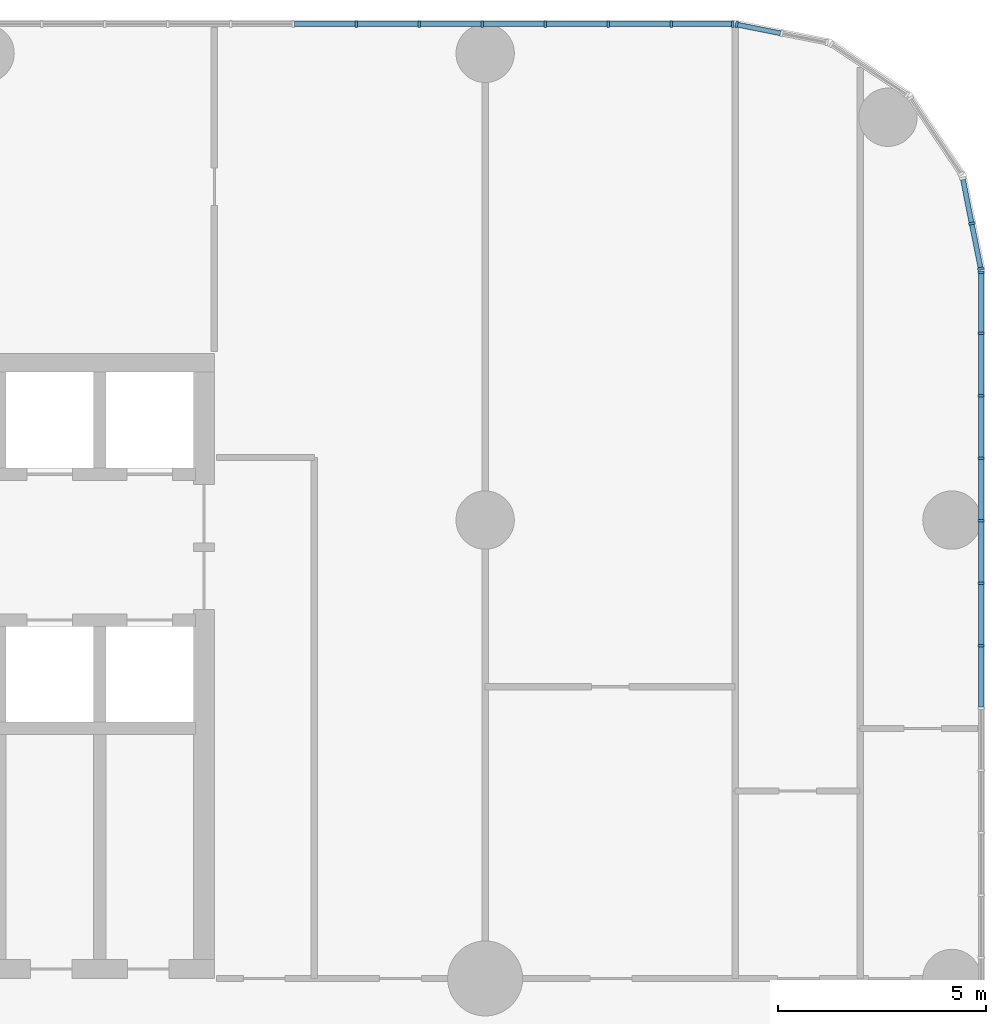
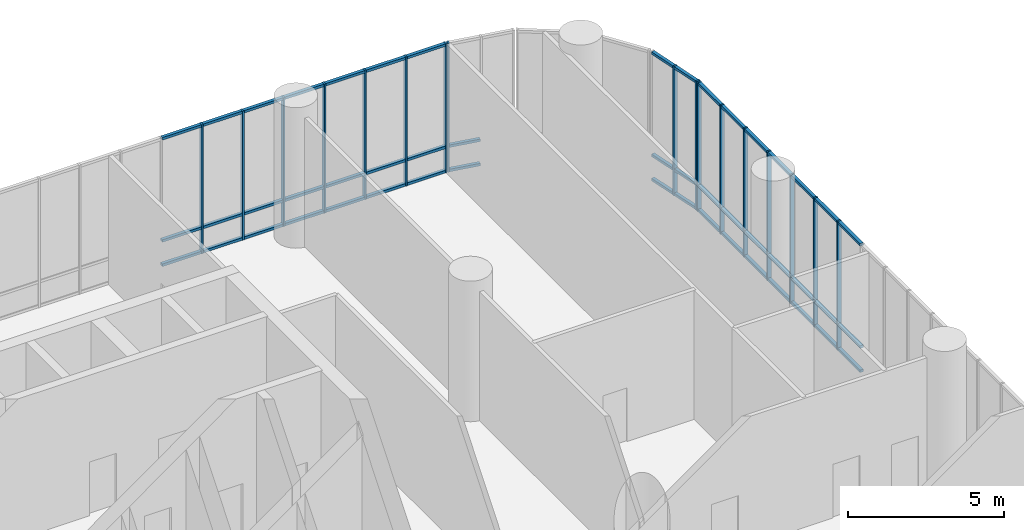
# One storey, part 14 of 28: 67 members, 4 elements without a shape of their own.
"""IFC4 building model written with IfcOpenShell, lengths in metres."""

from ifc_helpers import new_model, si_unit, direction, frame, origin, origin_2d, place, context, subcontext, project, spatial, rectangle, extrude, material, layer, layer_set, material_profile, profile_set, type_object, element, aggregate, save


model = new_model("IFC4")

# Units and contexts
model_context = context("Model", 3, precision=1e-05, world=origin(), true_north=direction((0.0, 1.0)))
body_context = subcontext(model_context, "Body", "Model", "MODEL_VIEW")
ifc_project = project(units=[si_unit("LENGTHUNIT", "METRE"), si_unit("AREAUNIT", "SQUARE_METRE"), si_unit("VOLUMEUNIT", "CUBIC_METRE"), si_unit("PLANEANGLEUNIT", "RADIAN"), si_unit("MASSUNIT", "GRAM", prefix="KILO")], contexts=[model_context])

# Site, building, storey
site_placement = place(None, origin())
site = spatial("IfcSite", under=ifc_project, at=site_placement, CompositionType="ELEMENT")
building_placement = place(site_placement, origin())
building = spatial("IfcBuilding", under=site, at=building_placement, Name="Torana Hotel and Residences", CompositionType="ELEMENT")
storey_placement = place(building_placement, frame((0.0, 0.0, 7.0)))
storey = spatial("IfcBuildingStorey", under=building, at=storey_placement, Name="L01", CompositionType="ELEMENT", Elevation=7.0)

# Curtain wall, members
ifc_material_1 = material(Name="Dark anodised aluminium", Category="aluminium")
ifc_layer = layer(ifc_material_1, 0.14990234375)
ifc_layer_set = layer_set([ifc_layer], Name="CW5 PODIUM UPPER UNITISED CURTAIN WALL")
curtain_wall_type = type_object("IfcCurtainWallType", Name="CW5 PODIUM UPPER UNITISED CURTAIN WALL", PredefinedType="NOTDEFINED", material=ifc_layer_set)
curtain_wall_1_placement = place(storey_placement, origin())
curtain_wall_1 = element("IfcCurtainWall", 1, at=curtain_wall_1_placement, inside=storey, type_object=curtain_wall_type, Name="Curtain wall CW5 L01 e1.5", PredefinedType="NOTDEFINED")
ifc_material_2 = material(Name="Dark anodised aluminium", Category="aluminium")
ifc_material_profile_1 = material_profile(ifc_material_2, rectangle(XDim=0.14990234375, YDim=0.06005859375, at=origin_2d()), Name="CW5 MULLION 60x150")
ifc_profile_set_1 = profile_set([ifc_material_profile_1], Name="Dark anodised aluminium")
member_type_1 = type_object("IfcMemberType", Name="CW5 MULLION 60x150", PredefinedType="MULLION", material=ifc_profile_set_1)
member_1_placement = place(storey_placement, frame((47.89990234375, -7.01220703125, 0.0), z_axis=(0.0, 0.0, 1.0), x_axis=(-1.0, 0.0, 0.0)))
member_1 = element("IfcMember", 2, at=member_1_placement, type_object=member_type_1, Name="CW5 mullion 19", PredefinedType="MULLION", context=body_context, shape_type="SweptSolid", body=[
    extrude(rectangle(XDim=0.14990234375, YDim=0.06005859375, at=origin_2d()), origin(), (0.0, 0.0, 1.0), 5.050048828125),
])
member_2_placement = place(storey_placement, frame((47.89990234375, -5.514404296875, 0.0), z_axis=(0.0, 0.0, 1.0), x_axis=(-1.0, 0.0, 0.0)))
member_2 = element("IfcMember", 3, at=member_2_placement, type_object=member_type_1, Name="CW5 mullion 20", PredefinedType="MULLION", context=body_context, shape_type="SweptSolid", body=[
    extrude(rectangle(XDim=0.14990234375, YDim=0.06005859375, at=origin_2d()), origin(), (0.0, 0.0, 1.0), 5.050048828125),
])
member_3_placement = place(storey_placement, frame((47.89990234375, -4.016357421875, 0.0), z_axis=(0.0, 0.0, 1.0), x_axis=(-1.0, 0.0, 0.0)))
member_3 = element("IfcMember", 4, at=member_3_placement, type_object=member_type_1, Name="CW5 mullion 21", PredefinedType="MULLION", context=body_context, shape_type="SweptSolid", body=[
    extrude(rectangle(XDim=0.14990234375, YDim=0.06005859375, at=origin_2d()), origin(), (0.0, 0.0, 1.0), 5.050048828125),
])
member_4_placement = place(storey_placement, frame((47.89990234375, -2.5185546875, 0.0), z_axis=(0.0, 0.0, 1.0), x_axis=(-1.0, 0.0, 0.0)))
member_4 = element("IfcMember", 5, at=member_4_placement, type_object=member_type_1, Name="CW5 mullion 22", PredefinedType="MULLION", context=body_context, shape_type="SweptSolid", body=[
    extrude(rectangle(XDim=0.14990234375, YDim=0.06005859375, at=origin_2d()), origin(), (0.0, 0.0, 1.0), 5.050048828125),
])
member_5_placement = place(storey_placement, frame((47.89990234375, -1.0205078125, 0.0), z_axis=(0.0, 0.0, 1.0), x_axis=(-1.0, 0.0, 0.0)))
member_5 = element("IfcMember", 6, at=member_5_placement, type_object=member_type_1, Name="CW5 mullion 23", PredefinedType="MULLION", context=body_context, shape_type="SweptSolid", body=[
    extrude(rectangle(XDim=0.14990234375, YDim=0.06005859375, at=origin_2d()), origin(), (0.0, 0.0, 1.0), 5.050048828125),
])
member_6_placement = place(storey_placement, frame((47.89990234375, 0.4775390625, 0.0), z_axis=(0.0, 0.0, 1.0), x_axis=(-1.0, 0.0, 0.0)))
member_6 = element("IfcMember", 7, at=member_6_placement, type_object=member_type_1, Name="CW5 mullion 24", PredefinedType="MULLION", context=body_context, shape_type="SweptSolid", body=[
    extrude(rectangle(XDim=0.14990234375, YDim=0.06005859375, at=origin_2d()), origin(), (0.0, 0.0, 1.0), 5.050048828125),
])
member_7_placement = place(storey_placement, frame((47.89990234375, 1.9453125, 0.0), z_axis=(0.0, 0.0, 1.0), x_axis=(-1.0, 0.0, 0.0)))
member_7 = element("IfcMember", 8, at=member_7_placement, type_object=member_type_1, Name="CW5 mullion 25", PredefinedType="MULLION", context=body_context, shape_type="SweptSolid", body=[
    extrude(rectangle(XDim=0.14990234375, YDim=0.06005859375, at=origin_2d()), origin(), (0.0, 0.0, 1.0), 5.050048828125),
])

curtain_wall_2_placement = place(storey_placement, origin())
curtain_wall_2 = element("IfcCurtainWall", 9, at=curtain_wall_2_placement, inside=storey, type_object=curtain_wall_type, Name="Curtain wall CW5 L01 e1.6", PredefinedType="NOTDEFINED")
member_8_placement = place(storey_placement, frame((47.891357421875, 2.033935546875, 0.0), z_axis=(0.0, 0.0, 1.0), x_axis=(-0.980787135335, -0.195080996415, 0.0)))
member_8 = element("IfcMember", 10, at=member_8_placement, type_object=member_type_1, Name="CW5 mullion 1", PredefinedType="MULLION", context=body_context, shape_type="SweptSolid", body=[
    extrude(rectangle(XDim=0.14990234375, YDim=0.06005859375, at=origin_2d()), origin(), (0.0, 0.0, 1.0), 5.050048828125),
])
member_9_placement = place(storey_placement, frame((47.676025390625, 3.1162109375, 0.0), z_axis=(0.0, 0.0, 1.0), x_axis=(-0.980787135335, -0.195080996415, 0.0)))
member_9 = element("IfcMember", 11, at=member_9_placement, type_object=member_type_1, Name="CW5 mullion 2", PredefinedType="MULLION", context=body_context, shape_type="SweptSolid", body=[
    extrude(rectangle(XDim=0.14990234375, YDim=0.06005859375, at=origin_2d()), origin(), (0.0, 0.0, 1.0), 5.050048828125),
])

# Curtain wall, member
curtain_wall_3_placement = place(storey_placement, origin())
curtain_wall_3 = element("IfcCurtainWall", 12, at=curtain_wall_3_placement, inside=storey, type_object=curtain_wall_type, Name="Curtain wall CW5 L01 e1.9", PredefinedType="NOTDEFINED")
member_10_placement = place(storey_placement, frame((42.033935546875, 7.891357421875, 0.0), z_axis=(0.0, 0.0, 1.0), x_axis=(-0.195080996415, -0.980787135335, 0.0)))
member_10 = element("IfcMember", 13, at=member_10_placement, type_object=member_type_1, Name="CW5 mullion 3", PredefinedType="MULLION", context=body_context, shape_type="SweptSolid", body=[
    extrude(rectangle(XDim=0.14990234375, YDim=0.06005859375, at=origin_2d()), origin(), (0.0, 0.0, 1.0), 5.050048828125),
])

# Curtain wall, members
curtain_wall_4_placement = place(storey_placement, origin())
curtain_wall_4 = element("IfcCurtainWall", 14, at=curtain_wall_4_placement, inside=storey, type_object=curtain_wall_type, Name="Curtain wall CW5 L01 e1.10", PredefinedType="NOTDEFINED")
member_11_placement = place(storey_placement, frame((41.9453125, 7.89990234375, 0.0), z_axis=(0.0, 0.0, 1.0), x_axis=(0.0, -1.0, 0.0)))
member_11 = element("IfcMember", 15, at=member_11_placement, type_object=member_type_1, Name="CW5 mullion 1", PredefinedType="MULLION", context=body_context, shape_type="SweptSolid", body=[
    extrude(rectangle(XDim=0.14990234375, YDim=0.06005859375, at=origin_2d()), origin(), (0.0, 0.0, 1.0), 5.050048828125),
])
member_12_placement = place(storey_placement, frame((40.464599609375, 7.89990234375, 0.0), z_axis=(0.0, 0.0, 1.0), x_axis=(0.0, -1.0, 0.0)))
member_12 = element("IfcMember", 16, at=member_12_placement, type_object=member_type_1, Name="CW5 mullion 2", PredefinedType="MULLION", context=body_context, shape_type="SweptSolid", body=[
    extrude(rectangle(XDim=0.14990234375, YDim=0.06005859375, at=origin_2d()), origin(), (0.0, 0.0, 1.0), 5.050048828125),
])
member_13_placement = place(storey_placement, frame((38.953857421875, 7.89990234375, 0.0), z_axis=(0.0, 0.0, 1.0), x_axis=(0.0, -1.0, 0.0)))
member_13 = element("IfcMember", 17, at=member_13_placement, type_object=member_type_1, Name="CW5 mullion 3", PredefinedType="MULLION", context=body_context, shape_type="SweptSolid", body=[
    extrude(rectangle(XDim=0.14990234375, YDim=0.06005859375, at=origin_2d()), origin(), (0.0, 0.0, 1.0), 5.050048828125),
])
member_14_placement = place(storey_placement, frame((37.443115234375, 7.89990234375, 0.0), z_axis=(0.0, 0.0, 1.0), x_axis=(0.0, -1.0, 0.0)))
member_14 = element("IfcMember", 18, at=member_14_placement, type_object=member_type_1, Name="CW5 mullion 4", PredefinedType="MULLION", context=body_context, shape_type="SweptSolid", body=[
    extrude(rectangle(XDim=0.14990234375, YDim=0.06005859375, at=origin_2d()), origin(), (0.0, 0.0, 1.0), 5.050048828125),
])
member_15_placement = place(storey_placement, frame((35.932373046875, 7.89990234375, 0.0), z_axis=(0.0, 0.0, 1.0), x_axis=(0.0, -1.0, 0.0)))
member_15 = element("IfcMember", 19, at=member_15_placement, type_object=member_type_1, Name="CW5 mullion 5", PredefinedType="MULLION", context=body_context, shape_type="SweptSolid", body=[
    extrude(rectangle(XDim=0.14990234375, YDim=0.06005859375, at=origin_2d()), origin(), (0.0, 0.0, 1.0), 5.050048828125),
])
member_16_placement = place(storey_placement, frame((34.421630859375, 7.89990234375, 0.0), z_axis=(0.0, 0.0, 1.0), x_axis=(0.0, -1.0, 0.0)))
member_16 = element("IfcMember", 20, at=member_16_placement, type_object=member_type_1, Name="CW5 mullion 6", PredefinedType="MULLION", context=body_context, shape_type="SweptSolid", body=[
    extrude(rectangle(XDim=0.14990234375, YDim=0.06005859375, at=origin_2d()), origin(), (0.0, 0.0, 1.0), 5.050048828125),
])
member_17_placement = place(storey_placement, frame((32.910888671875, 7.89990234375, 0.0), z_axis=(0.0, 0.0, 1.0), x_axis=(0.0, -1.0, 0.0)))
member_17 = element("IfcMember", 21, at=member_17_placement, type_object=member_type_1, Name="CW5 mullion 7", PredefinedType="MULLION", context=body_context, shape_type="SweptSolid", body=[
    extrude(rectangle(XDim=0.14990234375, YDim=0.06005859375, at=origin_2d()), origin(), (0.0, 0.0, 1.0), 5.050048828125),
])

# Member
ifc_material_3 = material(Name="Dark anodised aluminium", Category="aluminium")
ifc_material_profile_2 = material_profile(ifc_material_3, rectangle(XDim=0.1201171875, YDim=0.10009765625, at=origin_2d()), Name="CW5 TRANSOM 120x100")
ifc_profile_set_2 = profile_set([ifc_material_profile_2], Name="Dark anodised aluminium")
member_type_2 = type_object("IfcMemberType", Name="CW5 TRANSOM 120x100", PredefinedType="USERDEFINED", material=ifc_profile_set_2)
member_18_placement = place(storey_placement, frame((47.89990234375, -8.480224609375, 0.050048828125), z_axis=(0.0, 1.0, 0.0), x_axis=(-1.0, 0.0, 0.0)))
member_18 = element("IfcMember", 22, at=member_18_placement, type_object=member_type_2, Name="CW5 transom 18.1", ObjectType="TRANSOM", PredefinedType="USERDEFINED", context=body_context, shape_type="SweptSolid", body=[
    extrude(rectangle(XDim=0.1201171875, YDim=0.10009765625, at=origin_2d()), origin(), (0.0, 0.0, 1.0), 1.43798828125),
])

member_19_placement = place(storey_placement, frame((47.89990234375, -8.480224609375, 1.0), z_axis=(0.0, 1.0, 0.0), x_axis=(-1.0, 0.0, 0.0)))
member_19 = element("IfcMember", 23, at=member_19_placement, type_object=member_type_2, Name="CW5 transom 18.2", ObjectType="TRANSOM", PredefinedType="USERDEFINED", context=body_context, shape_type="SweptSolid", body=[
    extrude(rectangle(XDim=0.1201171875, YDim=0.10009765625, at=origin_2d()), origin(), (0.0, 0.0, 1.0), 1.43798828125),
])

member_20_placement = place(storey_placement, frame((47.89990234375, -8.480224609375, 5.0), z_axis=(0.0, 1.0, 0.0), x_axis=(-1.0, 0.0, 0.0)))
member_20 = element("IfcMember", 24, at=member_20_placement, type_object=member_type_2, Name="CW5 transom 18.3", ObjectType="TRANSOM", PredefinedType="USERDEFINED", context=body_context, shape_type="SweptSolid", body=[
    extrude(rectangle(XDim=0.1201171875, YDim=0.10009765625, at=origin_2d()), origin(), (0.0, 0.0, 1.0), 1.43798828125),
])

member_21_placement = place(storey_placement, frame((47.89990234375, -6.982421875, 0.050048828125), z_axis=(0.0, 1.0, 0.0), x_axis=(-1.0, 0.0, 0.0)))
member_21 = element("IfcMember", 25, at=member_21_placement, type_object=member_type_2, Name="CW5 transom 19.1", ObjectType="TRANSOM", PredefinedType="USERDEFINED", context=body_context, shape_type="SweptSolid", body=[
    extrude(rectangle(XDim=0.1201171875, YDim=0.10009765625, at=origin_2d()), origin(), (0.0, 0.0, 1.0), 1.43798828125),
])

member_22_placement = place(storey_placement, frame((47.89990234375, -6.982421875, 1.0), z_axis=(0.0, 1.0, 0.0), x_axis=(-1.0, 0.0, 0.0)))
member_22 = element("IfcMember", 26, at=member_22_placement, type_object=member_type_2, Name="CW5 transom 19.2", ObjectType="TRANSOM", PredefinedType="USERDEFINED", context=body_context, shape_type="SweptSolid", body=[
    extrude(rectangle(XDim=0.1201171875, YDim=0.10009765625, at=origin_2d()), origin(), (0.0, 0.0, 1.0), 1.43798828125),
])

member_23_placement = place(storey_placement, frame((47.89990234375, -6.982421875, 5.0), z_axis=(0.0, 1.0, 0.0), x_axis=(-1.0, 0.0, 0.0)))
member_23 = element("IfcMember", 27, at=member_23_placement, type_object=member_type_2, Name="CW5 transom 19.3", ObjectType="TRANSOM", PredefinedType="USERDEFINED", context=body_context, shape_type="SweptSolid", body=[
    extrude(rectangle(XDim=0.1201171875, YDim=0.10009765625, at=origin_2d()), origin(), (0.0, 0.0, 1.0), 1.43798828125),
])

member_24_placement = place(storey_placement, frame((47.89990234375, -5.484375, 0.050048828125), z_axis=(0.0, 1.0, 0.0), x_axis=(-1.0, 0.0, 0.0)))
member_24 = element("IfcMember", 28, at=member_24_placement, type_object=member_type_2, Name="CW5 transom 20.1", ObjectType="TRANSOM", PredefinedType="USERDEFINED", context=body_context, shape_type="SweptSolid", body=[
    extrude(rectangle(XDim=0.1201171875, YDim=0.10009765625, at=origin_2d()), origin(), (0.0, 0.0, 1.0), 1.43798828125),
])

member_25_placement = place(storey_placement, frame((47.89990234375, -5.484375, 1.0), z_axis=(0.0, 1.0, 0.0), x_axis=(-1.0, 0.0, 0.0)))
member_25 = element("IfcMember", 29, at=member_25_placement, type_object=member_type_2, Name="CW5 transom 20.2", ObjectType="TRANSOM", PredefinedType="USERDEFINED", context=body_context, shape_type="SweptSolid", body=[
    extrude(rectangle(XDim=0.1201171875, YDim=0.10009765625, at=origin_2d()), origin(), (0.0, 0.0, 1.0), 1.43798828125),
])

member_26_placement = place(storey_placement, frame((47.89990234375, -5.484375, 5.0), z_axis=(0.0, 1.0, 0.0), x_axis=(-1.0, 0.0, 0.0)))
member_26 = element("IfcMember", 30, at=member_26_placement, type_object=member_type_2, Name="CW5 transom 20.3", ObjectType="TRANSOM", PredefinedType="USERDEFINED", context=body_context, shape_type="SweptSolid", body=[
    extrude(rectangle(XDim=0.1201171875, YDim=0.10009765625, at=origin_2d()), origin(), (0.0, 0.0, 1.0), 1.43798828125),
])

member_27_placement = place(storey_placement, frame((47.89990234375, -3.986328125, 0.050048828125), z_axis=(0.0, 1.0, 0.0), x_axis=(-1.0, 0.0, 0.0)))
member_27 = element("IfcMember", 31, at=member_27_placement, type_object=member_type_2, Name="CW5 transom 21.1", ObjectType="TRANSOM", PredefinedType="USERDEFINED", context=body_context, shape_type="SweptSolid", body=[
    extrude(rectangle(XDim=0.1201171875, YDim=0.10009765625, at=origin_2d()), origin(), (0.0, 0.0, 1.0), 1.43798828125),
])

member_28_placement = place(storey_placement, frame((47.89990234375, -3.986328125, 1.0), z_axis=(0.0, 1.0, 0.0), x_axis=(-1.0, 0.0, 0.0)))
member_28 = element("IfcMember", 32, at=member_28_placement, type_object=member_type_2, Name="CW5 transom 21.2", ObjectType="TRANSOM", PredefinedType="USERDEFINED", context=body_context, shape_type="SweptSolid", body=[
    extrude(rectangle(XDim=0.1201171875, YDim=0.10009765625, at=origin_2d()), origin(), (0.0, 0.0, 1.0), 1.43798828125),
])

member_29_placement = place(storey_placement, frame((47.89990234375, -3.986328125, 5.0), z_axis=(0.0, 1.0, 0.0), x_axis=(-1.0, 0.0, 0.0)))
member_29 = element("IfcMember", 33, at=member_29_placement, type_object=member_type_2, Name="CW5 transom 21.3", ObjectType="TRANSOM", PredefinedType="USERDEFINED", context=body_context, shape_type="SweptSolid", body=[
    extrude(rectangle(XDim=0.1201171875, YDim=0.10009765625, at=origin_2d()), origin(), (0.0, 0.0, 1.0), 1.43798828125),
])

member_30_placement = place(storey_placement, frame((47.89990234375, -2.488525390625, 0.050048828125), z_axis=(0.0, 1.0, 0.0), x_axis=(-1.0, 0.0, 0.0)))
member_30 = element("IfcMember", 34, at=member_30_placement, type_object=member_type_2, Name="CW5 transom 22.1", ObjectType="TRANSOM", PredefinedType="USERDEFINED", context=body_context, shape_type="SweptSolid", body=[
    extrude(rectangle(XDim=0.1201171875, YDim=0.10009765625, at=origin_2d()), origin(), (0.0, 0.0, 1.0), 1.43798828125),
])

member_31_placement = place(storey_placement, frame((47.89990234375, -2.488525390625, 1.0), z_axis=(0.0, 1.0, 0.0), x_axis=(-1.0, 0.0, 0.0)))
member_31 = element("IfcMember", 35, at=member_31_placement, type_object=member_type_2, Name="CW5 transom 22.2", ObjectType="TRANSOM", PredefinedType="USERDEFINED", context=body_context, shape_type="SweptSolid", body=[
    extrude(rectangle(XDim=0.1201171875, YDim=0.10009765625, at=origin_2d()), origin(), (0.0, 0.0, 1.0), 1.43798828125),
])

member_32_placement = place(storey_placement, frame((47.89990234375, -2.488525390625, 5.0), z_axis=(0.0, 1.0, 0.0), x_axis=(-1.0, 0.0, 0.0)))
member_32 = element("IfcMember", 36, at=member_32_placement, type_object=member_type_2, Name="CW5 transom 22.3", ObjectType="TRANSOM", PredefinedType="USERDEFINED", context=body_context, shape_type="SweptSolid", body=[
    extrude(rectangle(XDim=0.1201171875, YDim=0.10009765625, at=origin_2d()), origin(), (0.0, 0.0, 1.0), 1.43798828125),
])

member_33_placement = place(storey_placement, frame((47.89990234375, -0.990478515625, 0.050048828125), z_axis=(0.0, 1.0, 0.0), x_axis=(-1.0, 0.0, 0.0)))
member_33 = element("IfcMember", 37, at=member_33_placement, type_object=member_type_2, Name="CW5 transom 23.1", ObjectType="TRANSOM", PredefinedType="USERDEFINED", context=body_context, shape_type="SweptSolid", body=[
    extrude(rectangle(XDim=0.1201171875, YDim=0.10009765625, at=origin_2d()), origin(), (0.0, 0.0, 1.0), 1.43798828125),
])

member_34_placement = place(storey_placement, frame((47.89990234375, -0.990478515625, 1.0), z_axis=(0.0, 1.0, 0.0), x_axis=(-1.0, 0.0, 0.0)))
member_34 = element("IfcMember", 38, at=member_34_placement, type_object=member_type_2, Name="CW5 transom 23.2", ObjectType="TRANSOM", PredefinedType="USERDEFINED", context=body_context, shape_type="SweptSolid", body=[
    extrude(rectangle(XDim=0.1201171875, YDim=0.10009765625, at=origin_2d()), origin(), (0.0, 0.0, 1.0), 1.43798828125),
])

member_35_placement = place(storey_placement, frame((47.89990234375, -0.990478515625, 5.0), z_axis=(0.0, 1.0, 0.0), x_axis=(-1.0, 0.0, 0.0)))
member_35 = element("IfcMember", 39, at=member_35_placement, type_object=member_type_2, Name="CW5 transom 23.3", ObjectType="TRANSOM", PredefinedType="USERDEFINED", context=body_context, shape_type="SweptSolid", body=[
    extrude(rectangle(XDim=0.1201171875, YDim=0.10009765625, at=origin_2d()), origin(), (0.0, 0.0, 1.0), 1.43798828125),
])

member_36_placement = place(storey_placement, frame((47.89990234375, 0.507568359375, 0.050048828125), z_axis=(0.0, 1.0, 0.0), x_axis=(-1.0, 0.0, 0.0)))
member_36 = element("IfcMember", 40, at=member_36_placement, type_object=member_type_2, Name="CW5 transom 24.1", ObjectType="TRANSOM", PredefinedType="USERDEFINED", context=body_context, shape_type="SweptSolid", body=[
    extrude(rectangle(XDim=0.1201171875, YDim=0.10009765625, at=origin_2d()), origin(), (0.0, 0.0, 1.0), 1.40771484375),
])

member_37_placement = place(storey_placement, frame((47.89990234375, 0.507568359375, 1.0), z_axis=(0.0, 1.0, 0.0), x_axis=(-1.0, 0.0, 0.0)))
member_37 = element("IfcMember", 41, at=member_37_placement, type_object=member_type_2, Name="CW5 transom 24.2", ObjectType="TRANSOM", PredefinedType="USERDEFINED", context=body_context, shape_type="SweptSolid", body=[
    extrude(rectangle(XDim=0.1201171875, YDim=0.10009765625, at=origin_2d()), origin(), (0.0, 0.0, 1.0), 1.40771484375),
])

member_38_placement = place(storey_placement, frame((47.89990234375, 0.507568359375, 5.0), z_axis=(0.0, 1.0, 0.0), x_axis=(-1.0, 0.0, 0.0)))
member_38 = element("IfcMember", 42, at=member_38_placement, type_object=member_type_2, Name="CW5 transom 24.3", ObjectType="TRANSOM", PredefinedType="USERDEFINED", context=body_context, shape_type="SweptSolid", body=[
    extrude(rectangle(XDim=0.1201171875, YDim=0.10009765625, at=origin_2d()), origin(), (0.0, 0.0, 1.0), 1.40771484375),
])

aggregate(curtain_wall_1, [member_1, member_2, member_3, member_4, member_5, member_6, member_7, member_18, member_19, member_20, member_21, member_22, member_23, member_24, member_25, member_26, member_27, member_28, member_29, member_30, member_31, member_32, member_33, member_34, member_35, member_36, member_37, member_38])

member_39_placement = place(storey_placement, frame((47.885498046875, 2.0634765625, 0.050048828125), z_axis=(-0.195170971557, 0.980769234765, 0.0), x_axis=(-0.980769234765, -0.195170971557, 0.0)))
member_39 = element("IfcMember", 43, at=member_39_placement, type_object=member_type_2, Name="CW5 transom 1.1", ObjectType="TRANSOM", PredefinedType="USERDEFINED", context=body_context, shape_type="SweptSolid", body=[
    extrude(rectangle(XDim=0.1201171875, YDim=0.10009765625, at=origin_2d()), origin(), (0.0, 0.0, 1.0), 1.043212890625),
])

member_40_placement = place(storey_placement, frame((47.885498046875, 2.0634765625, 1.0), z_axis=(-0.195170971557, 0.980769234765, 0.0), x_axis=(-0.980769234765, -0.195170971557, 0.0)))
member_40 = element("IfcMember", 44, at=member_40_placement, type_object=member_type_2, Name="CW5 transom 1.2", ObjectType="TRANSOM", PredefinedType="USERDEFINED", context=body_context, shape_type="SweptSolid", body=[
    extrude(rectangle(XDim=0.1201171875, YDim=0.10009765625, at=origin_2d()), origin(), (0.0, 0.0, 1.0), 1.043212890625),
])

member_41_placement = place(storey_placement, frame((47.885498046875, 2.0634765625, 5.0), z_axis=(-0.195170971557, 0.980769234765, 0.0), x_axis=(-0.980769234765, -0.195170971557, 0.0)))
member_41 = element("IfcMember", 45, at=member_41_placement, type_object=member_type_2, Name="CW5 transom 1.3", ObjectType="TRANSOM", PredefinedType="USERDEFINED", context=body_context, shape_type="SweptSolid", body=[
    extrude(rectangle(XDim=0.1201171875, YDim=0.10009765625, at=origin_2d()), origin(), (0.0, 0.0, 1.0), 1.043212890625),
])

member_42_placement = place(storey_placement, frame((47.670166015625, 3.1455078125, 0.050048828125), z_axis=(-0.195126186458, 0.980778145841, 0.0), x_axis=(-0.980778145841, -0.195126186458, 0.0)))
member_42 = element("IfcMember", 46, at=member_42_placement, type_object=member_type_2, Name="CW5 transom 2.1", ObjectType="TRANSOM", PredefinedType="USERDEFINED", context=body_context, shape_type="SweptSolid", body=[
    extrude(rectangle(XDim=0.1201171875, YDim=0.10009765625, at=origin_2d()), origin(), (0.0, 0.0, 1.0), 1.04345703125),
])

member_43_placement = place(storey_placement, frame((47.670166015625, 3.1455078125, 1.0), z_axis=(-0.195126186458, 0.980778145841, 0.0), x_axis=(-0.980778145841, -0.195126186458, 0.0)))
member_43 = element("IfcMember", 47, at=member_43_placement, type_object=member_type_2, Name="CW5 transom 2.2", ObjectType="TRANSOM", PredefinedType="USERDEFINED", context=body_context, shape_type="SweptSolid", body=[
    extrude(rectangle(XDim=0.1201171875, YDim=0.10009765625, at=origin_2d()), origin(), (0.0, 0.0, 1.0), 1.04345703125),
])

member_44_placement = place(storey_placement, frame((47.670166015625, 3.1455078125, 5.0), z_axis=(-0.195126186458, 0.980778145841, 0.0), x_axis=(-0.980778145841, -0.195126186458, 0.0)))
member_44 = element("IfcMember", 48, at=member_44_placement, type_object=member_type_2, Name="CW5 transom 2.3", ObjectType="TRANSOM", PredefinedType="USERDEFINED", context=body_context, shape_type="SweptSolid", body=[
    extrude(rectangle(XDim=0.1201171875, YDim=0.10009765625, at=origin_2d()), origin(), (0.0, 0.0, 1.0), 1.04345703125),
])

aggregate(curtain_wall_2, [member_8, member_9, member_39, member_40, member_41, member_42, member_43, member_44])

member_45_placement = place(storey_placement, frame((43.086669921875, 7.681884765625, 0.050048828125), z_axis=(-0.980769234765, 0.195170971557, 0.0), x_axis=(-0.195170971557, -0.980769234765, 0.0)))
member_45 = element("IfcMember", 49, at=member_45_placement, type_object=member_type_2, Name="CW5 transom 2.1", ObjectType="TRANSOM", PredefinedType="USERDEFINED", context=body_context, shape_type="SweptSolid", body=[
    extrude(rectangle(XDim=0.1201171875, YDim=0.10009765625, at=origin_2d()), origin(), (0.0, 0.0, 1.0), 1.043212890625),
])

member_46_placement = place(storey_placement, frame((43.086669921875, 7.681884765625, 1.0), z_axis=(-0.980769234765, 0.195170971557, 0.0), x_axis=(-0.195170971557, -0.980769234765, 0.0)))
member_46 = element("IfcMember", 50, at=member_46_placement, type_object=member_type_2, Name="CW5 transom 2.2", ObjectType="TRANSOM", PredefinedType="USERDEFINED", context=body_context, shape_type="SweptSolid", body=[
    extrude(rectangle(XDim=0.1201171875, YDim=0.10009765625, at=origin_2d()), origin(), (0.0, 0.0, 1.0), 1.043212890625),
])

aggregate(curtain_wall_3, [member_10, member_45, member_46])

member_47_placement = place(storey_placement, frame((41.915283203125, 7.89990234375, 0.050048828125), z_axis=(-1.0, 0.0, 0.0), x_axis=(0.0, -1.0, 0.0)))
member_47 = element("IfcMember", 51, at=member_47_placement, type_object=member_type_2, Name="CW5 transom 1.1", ObjectType="TRANSOM", PredefinedType="USERDEFINED", context=body_context, shape_type="SweptSolid", body=[
    extrude(rectangle(XDim=0.1201171875, YDim=0.10009765625, at=origin_2d()), origin(), (0.0, 0.0, 1.0), 1.420654296875),
])

member_48_placement = place(storey_placement, frame((41.915283203125, 7.89990234375, 1.0), z_axis=(-1.0, 0.0, 0.0), x_axis=(0.0, -1.0, 0.0)))
member_48 = element("IfcMember", 52, at=member_48_placement, type_object=member_type_2, Name="CW5 transom 1.2", ObjectType="TRANSOM", PredefinedType="USERDEFINED", context=body_context, shape_type="SweptSolid", body=[
    extrude(rectangle(XDim=0.1201171875, YDim=0.10009765625, at=origin_2d()), origin(), (0.0, 0.0, 1.0), 1.420654296875),
])

member_49_placement = place(storey_placement, frame((41.915283203125, 7.89990234375, 5.0), z_axis=(-1.0, 0.0, 0.0), x_axis=(0.0, -1.0, 0.0)))
member_49 = element("IfcMember", 53, at=member_49_placement, type_object=member_type_2, Name="CW5 transom 1.3", ObjectType="TRANSOM", PredefinedType="USERDEFINED", context=body_context, shape_type="SweptSolid", body=[
    extrude(rectangle(XDim=0.1201171875, YDim=0.10009765625, at=origin_2d()), origin(), (0.0, 0.0, 1.0), 1.420654296875),
])

member_50_placement = place(storey_placement, frame((40.4345703125, 7.89990234375, 0.050048828125), z_axis=(-1.0, 0.0, 0.0), x_axis=(0.0, -1.0, 0.0)))
member_50 = element("IfcMember", 54, at=member_50_placement, type_object=member_type_2, Name="CW5 transom 2.1", ObjectType="TRANSOM", PredefinedType="USERDEFINED", context=body_context, shape_type="SweptSolid", body=[
    extrude(rectangle(XDim=0.1201171875, YDim=0.10009765625, at=origin_2d()), origin(), (0.0, 0.0, 1.0), 1.45068359375),
])

member_51_placement = place(storey_placement, frame((40.4345703125, 7.89990234375, 1.0), z_axis=(-1.0, 0.0, 0.0), x_axis=(0.0, -1.0, 0.0)))
member_51 = element("IfcMember", 55, at=member_51_placement, type_object=member_type_2, Name="CW5 transom 2.2", ObjectType="TRANSOM", PredefinedType="USERDEFINED", context=body_context, shape_type="SweptSolid", body=[
    extrude(rectangle(XDim=0.1201171875, YDim=0.10009765625, at=origin_2d()), origin(), (0.0, 0.0, 1.0), 1.45068359375),
])

member_52_placement = place(storey_placement, frame((40.4345703125, 7.89990234375, 5.0), z_axis=(-1.0, 0.0, 0.0), x_axis=(0.0, -1.0, 0.0)))
member_52 = element("IfcMember", 56, at=member_52_placement, type_object=member_type_2, Name="CW5 transom 2.3", ObjectType="TRANSOM", PredefinedType="USERDEFINED", context=body_context, shape_type="SweptSolid", body=[
    extrude(rectangle(XDim=0.1201171875, YDim=0.10009765625, at=origin_2d()), origin(), (0.0, 0.0, 1.0), 1.45068359375),
])

member_53_placement = place(storey_placement, frame((38.923828125, 7.89990234375, 0.050048828125), z_axis=(-1.0, 0.0, 0.0), x_axis=(0.0, -1.0, 0.0)))
member_53 = element("IfcMember", 57, at=member_53_placement, type_object=member_type_2, Name="CW5 transom 3.1", ObjectType="TRANSOM", PredefinedType="USERDEFINED", context=body_context, shape_type="SweptSolid", body=[
    extrude(rectangle(XDim=0.1201171875, YDim=0.10009765625, at=origin_2d()), origin(), (0.0, 0.0, 1.0), 1.45068359375),
])

member_54_placement = place(storey_placement, frame((38.923828125, 7.89990234375, 1.0), z_axis=(-1.0, 0.0, 0.0), x_axis=(0.0, -1.0, 0.0)))
member_54 = element("IfcMember", 58, at=member_54_placement, type_object=member_type_2, Name="CW5 transom 3.2", ObjectType="TRANSOM", PredefinedType="USERDEFINED", context=body_context, shape_type="SweptSolid", body=[
    extrude(rectangle(XDim=0.1201171875, YDim=0.10009765625, at=origin_2d()), origin(), (0.0, 0.0, 1.0), 1.45068359375),
])

member_55_placement = place(storey_placement, frame((38.923828125, 7.89990234375, 5.0), z_axis=(-1.0, 0.0, 0.0), x_axis=(0.0, -1.0, 0.0)))
member_55 = element("IfcMember", 59, at=member_55_placement, type_object=member_type_2, Name="CW5 transom 3.3", ObjectType="TRANSOM", PredefinedType="USERDEFINED", context=body_context, shape_type="SweptSolid", body=[
    extrude(rectangle(XDim=0.1201171875, YDim=0.10009765625, at=origin_2d()), origin(), (0.0, 0.0, 1.0), 1.45068359375),
])

member_56_placement = place(storey_placement, frame((37.4130859375, 7.89990234375, 0.050048828125), z_axis=(-1.0, 0.0, 0.0), x_axis=(0.0, -1.0, 0.0)))
member_56 = element("IfcMember", 60, at=member_56_placement, type_object=member_type_2, Name="CW5 transom 4.1", ObjectType="TRANSOM", PredefinedType="USERDEFINED", context=body_context, shape_type="SweptSolid", body=[
    extrude(rectangle(XDim=0.1201171875, YDim=0.10009765625, at=origin_2d()), origin(), (0.0, 0.0, 1.0), 1.45068359375),
])

member_57_placement = place(storey_placement, frame((37.4130859375, 7.89990234375, 1.0), z_axis=(-1.0, 0.0, 0.0), x_axis=(0.0, -1.0, 0.0)))
member_57 = element("IfcMember", 61, at=member_57_placement, type_object=member_type_2, Name="CW5 transom 4.2", ObjectType="TRANSOM", PredefinedType="USERDEFINED", context=body_context, shape_type="SweptSolid", body=[
    extrude(rectangle(XDim=0.1201171875, YDim=0.10009765625, at=origin_2d()), origin(), (0.0, 0.0, 1.0), 1.45068359375),
])

member_58_placement = place(storey_placement, frame((37.4130859375, 7.89990234375, 5.0), z_axis=(-1.0, 0.0, 0.0), x_axis=(0.0, -1.0, 0.0)))
member_58 = element("IfcMember", 62, at=member_58_placement, type_object=member_type_2, Name="CW5 transom 4.3", ObjectType="TRANSOM", PredefinedType="USERDEFINED", context=body_context, shape_type="SweptSolid", body=[
    extrude(rectangle(XDim=0.1201171875, YDim=0.10009765625, at=origin_2d()), origin(), (0.0, 0.0, 1.0), 1.45068359375),
])

member_59_placement = place(storey_placement, frame((35.902587890625, 7.89990234375, 0.050048828125), z_axis=(-1.0, 0.0, 0.0), x_axis=(0.0, -1.0, 0.0)))
member_59 = element("IfcMember", 63, at=member_59_placement, type_object=member_type_2, Name="CW5 transom 5.1", ObjectType="TRANSOM", PredefinedType="USERDEFINED", context=body_context, shape_type="SweptSolid", body=[
    extrude(rectangle(XDim=0.1201171875, YDim=0.10009765625, at=origin_2d()), origin(), (0.0, 0.0, 1.0), 1.450927734375),
])

member_60_placement = place(storey_placement, frame((35.902587890625, 7.89990234375, 1.0), z_axis=(-1.0, 0.0, 0.0), x_axis=(0.0, -1.0, 0.0)))
member_60 = element("IfcMember", 64, at=member_60_placement, type_object=member_type_2, Name="CW5 transom 5.2", ObjectType="TRANSOM", PredefinedType="USERDEFINED", context=body_context, shape_type="SweptSolid", body=[
    extrude(rectangle(XDim=0.1201171875, YDim=0.10009765625, at=origin_2d()), origin(), (0.0, 0.0, 1.0), 1.450927734375),
])

member_61_placement = place(storey_placement, frame((35.902587890625, 7.89990234375, 5.0), z_axis=(-1.0, 0.0, 0.0), x_axis=(0.0, -1.0, 0.0)))
member_61 = element("IfcMember", 65, at=member_61_placement, type_object=member_type_2, Name="CW5 transom 5.3", ObjectType="TRANSOM", PredefinedType="USERDEFINED", context=body_context, shape_type="SweptSolid", body=[
    extrude(rectangle(XDim=0.1201171875, YDim=0.10009765625, at=origin_2d()), origin(), (0.0, 0.0, 1.0), 1.450927734375),
])

member_62_placement = place(storey_placement, frame((34.391845703125, 7.89990234375, 0.050048828125), z_axis=(-1.0, 0.0, 0.0), x_axis=(0.0, -1.0, 0.0)))
member_62 = element("IfcMember", 66, at=member_62_placement, type_object=member_type_2, Name="CW5 transom 6.1", ObjectType="TRANSOM", PredefinedType="USERDEFINED", context=body_context, shape_type="SweptSolid", body=[
    extrude(rectangle(XDim=0.1201171875, YDim=0.10009765625, at=origin_2d()), origin(), (0.0, 0.0, 1.0), 1.450927734375),
])

member_63_placement = place(storey_placement, frame((34.391845703125, 7.89990234375, 1.0), z_axis=(-1.0, 0.0, 0.0), x_axis=(0.0, -1.0, 0.0)))
member_63 = element("IfcMember", 67, at=member_63_placement, type_object=member_type_2, Name="CW5 transom 6.2", ObjectType="TRANSOM", PredefinedType="USERDEFINED", context=body_context, shape_type="SweptSolid", body=[
    extrude(rectangle(XDim=0.1201171875, YDim=0.10009765625, at=origin_2d()), origin(), (0.0, 0.0, 1.0), 1.450927734375),
])

member_64_placement = place(storey_placement, frame((34.391845703125, 7.89990234375, 5.0), z_axis=(-1.0, 0.0, 0.0), x_axis=(0.0, -1.0, 0.0)))
member_64 = element("IfcMember", 68, at=member_64_placement, type_object=member_type_2, Name="CW5 transom 6.3", ObjectType="TRANSOM", PredefinedType="USERDEFINED", context=body_context, shape_type="SweptSolid", body=[
    extrude(rectangle(XDim=0.1201171875, YDim=0.10009765625, at=origin_2d()), origin(), (0.0, 0.0, 1.0), 1.450927734375),
])

member_65_placement = place(storey_placement, frame((32.881103515625, 7.89990234375, 0.050048828125), z_axis=(-1.0, 0.0, 0.0), x_axis=(0.0, -1.0, 0.0)))
member_65 = element("IfcMember", 69, at=member_65_placement, type_object=member_type_2, Name="CW5 transom 7.1", ObjectType="TRANSOM", PredefinedType="USERDEFINED", context=body_context, shape_type="SweptSolid", body=[
    extrude(rectangle(XDim=0.1201171875, YDim=0.10009765625, at=origin_2d()), origin(), (0.0, 0.0, 1.0), 1.450927734375),
])

member_66_placement = place(storey_placement, frame((32.881103515625, 7.89990234375, 1.0), z_axis=(-1.0, 0.0, 0.0), x_axis=(0.0, -1.0, 0.0)))
member_66 = element("IfcMember", 70, at=member_66_placement, type_object=member_type_2, Name="CW5 transom 7.2", ObjectType="TRANSOM", PredefinedType="USERDEFINED", context=body_context, shape_type="SweptSolid", body=[
    extrude(rectangle(XDim=0.1201171875, YDim=0.10009765625, at=origin_2d()), origin(), (0.0, 0.0, 1.0), 1.450927734375),
])

member_67_placement = place(storey_placement, frame((32.881103515625, 7.89990234375, 5.0), z_axis=(-1.0, 0.0, 0.0), x_axis=(0.0, -1.0, 0.0)))
member_67 = element("IfcMember", 71, at=member_67_placement, type_object=member_type_2, Name="CW5 transom 7.3", ObjectType="TRANSOM", PredefinedType="USERDEFINED", context=body_context, shape_type="SweptSolid", body=[
    extrude(rectangle(XDim=0.1201171875, YDim=0.10009765625, at=origin_2d()), origin(), (0.0, 0.0, 1.0), 1.450927734375),
])

aggregate(curtain_wall_4, [member_11, member_12, member_13, member_14, member_15, member_16, member_17, member_47, member_48, member_49, member_50, member_51, member_52, member_53, member_54, member_55, member_56, member_57, member_58, member_59, member_60, member_61, member_62, member_63, member_64, member_65, member_66, member_67])

save(model, "model.ifc")
